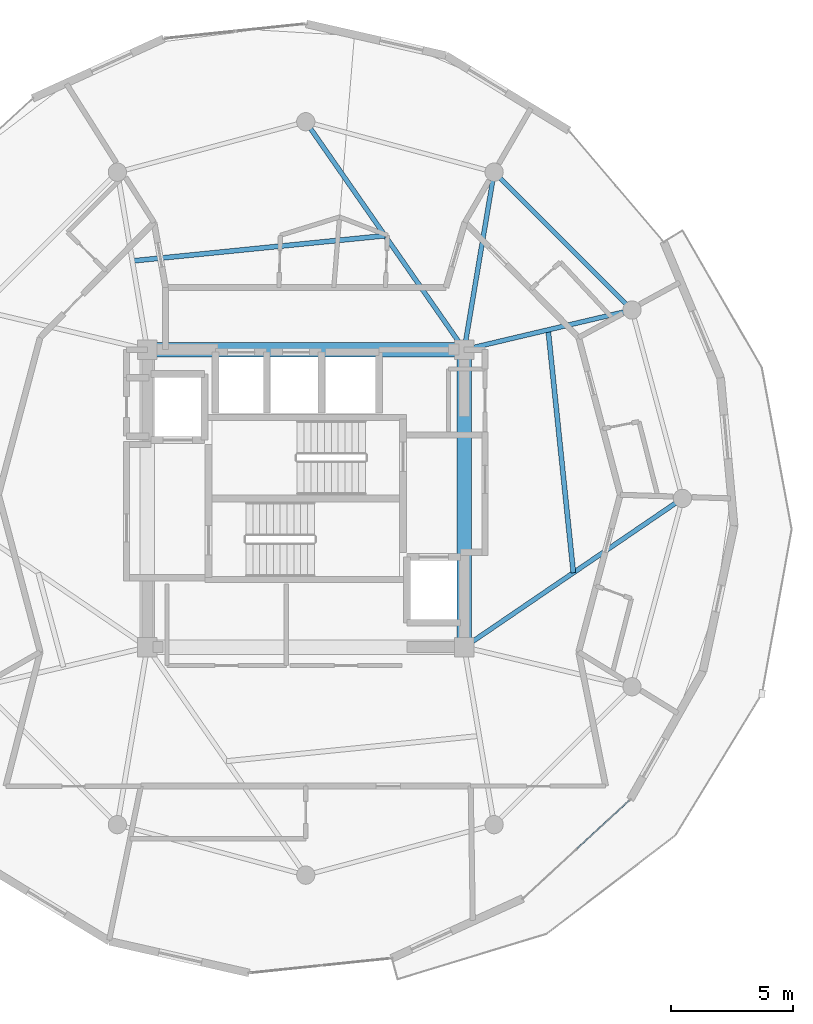
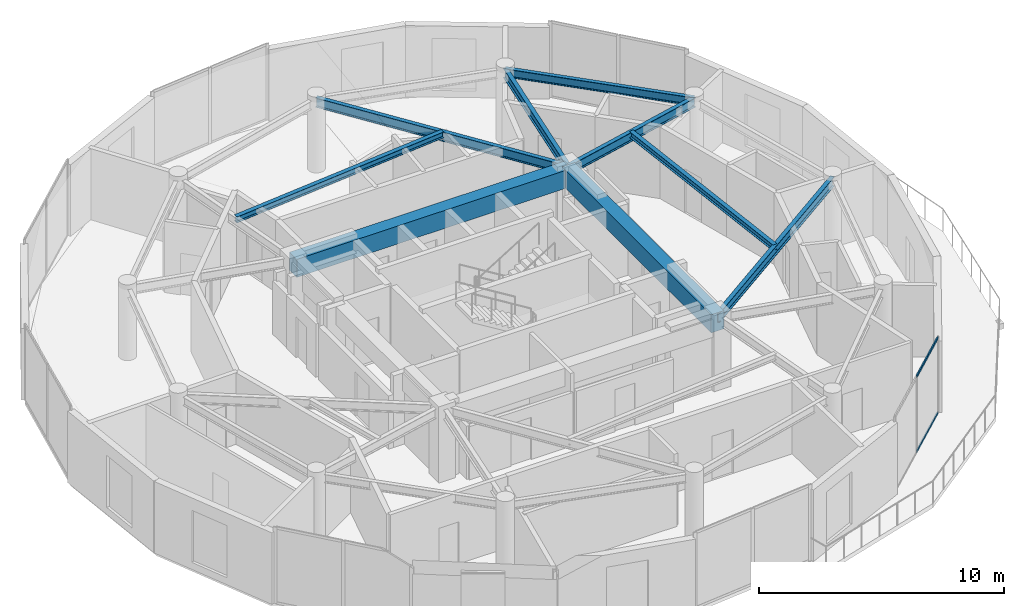
# One storey, part 10 of 22: 9 beams, 2 members, 1 element without a shape of its own.
"""IFC4 building model written with IfcOpenShell, lengths in metres."""

import ifcopenshell
import ifcopenshell.guid

model = None  # the IFC model being written
_history = None  # IfcOwnerHistory: only IFC2X3 demands one
_inside = {}  # id of a spatial element -> (the spatial element, [elements in it])
_under = {}  # id of a project, library or spatial element -> (it, [spatial elements below it])
_declared = {}  # id of a project -> (the project, [libraries it declares])
_typed = {}  # id of a type object -> (the type object, [elements of that type])
_made_of = {}  # id of a material, layer set ... -> (it, [elements and type objects made of it])


def new_model(schema):
    """Start an empty IFC model of exactly this schema.

    Asked for "IFC4X3", IfcOpenShell would pick the latest addendum, in which some entities
    have other attributes; the version numbers below select the first issue.
    IFC2X3 requires an IfcOwnerHistory on every rooted entity: one is made here for all.
    """
    global model, _history
    if schema == "IFC4X3":
        model = ifcopenshell.file(schema_version=(4, 3, 0, 0))
    else:
        model = ifcopenshell.file(schema=schema)
    _inside.clear()
    _under.clear()
    _declared.clear()
    _typed.clear()
    _made_of.clear()
    _history = None
    if model.schema == "IFC2X3":
        org = make("IfcOrganization", Name="unknown")
        user = make(
            "IfcPersonAndOrganization",
            ThePerson=make("IfcPerson", FamilyName="unknown"),
            TheOrganization=org,
        )
        app = make(
            "IfcApplication",
            ApplicationDeveloper=org,
            Version="unknown",
            ApplicationFullName="unknown",
            ApplicationIdentifier="unknown",
        )
        _history = make(
            "IfcOwnerHistory",
            OwningUser=user,
            OwningApplication=app,
            ChangeAction="ADDED",
            CreationDate=0,
        )
    return model


def make(cls, **values):
    """One entity of the class cls with the attributes given. An attribute that is None is left unset."""
    return model.create_entity(
        cls, **{name: value for name, value in values.items() if value is not None}
    )


def rooted(cls, **values):
    """An entity with a GlobalId (a new one), such as an element, a storey or a relation."""
    return make(cls, GlobalId=ifcopenshell.guid.new(), OwnerHistory=_history, **values)


def si_unit(unit_type, name, prefix=None):
    """IfcSIUnit, for example si_unit("LENGTHUNIT", "METRE", prefix="MILLI")."""
    return make("IfcSIUnit", UnitType=unit_type, Prefix=prefix, Name=name)


def assignment(units):
    """IfcUnitAssignment: the units of a project."""
    return None if units is None else make("IfcUnitAssignment", Units=units)


def point(xyz):
    """IfcCartesianPoint."""
    return None if xyz is None else make("IfcCartesianPoint", Coordinates=xyz)


def direction(xyz):
    """IfcDirection."""
    return None if xyz is None else make("IfcDirection", DirectionRatios=xyz)


def frame(location, z_axis=None, x_axis=None):
    """IfcAxis2Placement3D, a coordinate frame: its origin and axes. An axis left out is left unset."""
    return make(
        "IfcAxis2Placement3D",
        Location=point(location),
        Axis=direction(z_axis),
        RefDirection=direction(x_axis),
    )


def frame_2d(location, x_axis=None):
    """IfcAxis2Placement2D, a coordinate frame in the plane: its origin and x axis."""
    return make(
        "IfcAxis2Placement2D", Location=point(location), RefDirection=direction(x_axis)
    )


def origin():
    """The frame at (0, 0, 0) with its axes left unset."""
    return frame((0.0, 0.0, 0.0))


def origin_2d():
    """The frame at (0, 0) in the plane with its x axis left unset."""
    return frame_2d((0.0, 0.0))


def place(relative_to, where):
    """IfcLocalPlacement: puts the frame where relative to a parent placement (None: the world)."""
    return make(
        "IfcLocalPlacement", PlacementRelTo=relative_to, RelativePlacement=where
    )


def context(
    kind, dimensions, precision=None, world=None, true_north=None, identifier=None
):
    """IfcGeometricRepresentationContext, for example the 3D "Model" context."""
    return make(
        "IfcGeometricRepresentationContext",
        ContextIdentifier=identifier,
        ContextType=kind,
        CoordinateSpaceDimension=dimensions,
        Precision=precision,
        WorldCoordinateSystem=world,
        TrueNorth=true_north,
    )


def subcontext(parent, identifier, kind, view, scale=None):
    """IfcGeometricRepresentationSubContext, for example "Body" below "Model"."""
    return make(
        "IfcGeometricRepresentationSubContext",
        ContextIdentifier=identifier,
        ContextType=kind,
        ParentContext=parent,
        TargetScale=scale,
        TargetView=view,
    )


def project(units=None, contexts=None):
    """IfcProject with its units and contexts."""
    return rooted(
        "IfcProject",
        Name="project",
        RepresentationContexts=contexts,
        UnitsInContext=assignment(units),
    )


def spatial(cls, under=None, at=None, **own):
    """A site, building, storey or space (cls), placed at a placement, below another one or the project."""
    s = rooted(cls, ObjectPlacement=at, **own)
    if under is not None:
        _under.setdefault(under.id(), (under, []))[1].append(s)
    return s


def profile(cls, at=None, kind="AREA", **sizes):
    """A parametric profile (cls). Its sizes go by their IFC names, for example OverallWidth=200.0."""
    return make(cls, ProfileType=kind, Position=at, **sizes)


def rectangle(**sizes):
    """IfcRectangleProfileDef."""
    return profile("IfcRectangleProfileDef", **sizes)


def hollow_rectangle(**sizes):
    """IfcRectangleHollowProfileDef."""
    return profile("IfcRectangleHollowProfileDef", **sizes)


def i_section(**sizes):
    """IfcIShapeProfileDef."""
    return profile("IfcIShapeProfileDef", **sizes)


def extrude(swept, where, along, depth):
    """IfcExtrudedAreaSolid: the profile swept, set in the frame where, extruded along a direction by depth."""
    return make(
        "IfcExtrudedAreaSolid",
        SweptArea=swept,
        Position=where,
        ExtrudedDirection=direction(along),
        Depth=depth,
    )


def shape(context_of_items, identifier, shape_type, items):
    """IfcShapeRepresentation: the items that make up one representation, for example the "Body"."""
    return make(
        "IfcShapeRepresentation",
        ContextOfItems=context_of_items,
        RepresentationIdentifier=identifier,
        RepresentationType=shape_type,
        Items=items,
    )


def source(mapping_origin, context_of_items, identifier, shape_type, items):
    """IfcRepresentationMap: a shape defined once, which mapped items show again and again."""
    return make(
        "IfcRepresentationMap",
        MappingOrigin=mapping_origin,
        MappedRepresentation=shape(context_of_items, identifier, shape_type, items),
    )


def transform(
    local_origin,
    x_axis=None,
    y_axis=None,
    z_axis=None,
    scale=None,
    scale2=None,
    scale3=None,
    uniform=True,
):
    """IfcCartesianTransformationOperator3D, or its non-uniform kind. x_axis, y_axis, z_axis: its Axis1, 2, 3."""
    if uniform:
        return make(
            "IfcCartesianTransformationOperator3D",
            Axis1=direction(x_axis),
            Axis2=direction(y_axis),
            LocalOrigin=point(local_origin),
            Scale=scale,
            Axis3=direction(z_axis),
        )
    return make(
        "IfcCartesianTransformationOperator3DnonUniform",
        Axis1=direction(x_axis),
        Axis2=direction(y_axis),
        LocalOrigin=point(local_origin),
        Scale=scale,
        Axis3=direction(z_axis),
        Scale2=scale2,
        Scale3=scale3,
    )


def mapped(mapping_source, mapping_target):
    """IfcMappedItem: shows the shape of a source again, moved by a transform."""
    return make(
        "IfcMappedItem", MappingSource=mapping_source, MappingTarget=mapping_target
    )


def material(Name=None, Category=None):
    """IfcMaterial."""
    return make("IfcMaterial", Name=Name, Category=Category)


def layer(
    of_material, thickness, ventilated=None, Name=None, Category=None, Priority=None
):
    """IfcMaterialLayer: one layer of a wall or slab, of a material (None: an air gap)."""
    return make(
        "IfcMaterialLayer",
        Material=of_material,
        LayerThickness=thickness,
        IsVentilated=ventilated,
        Name=Name,
        Category=Category,
        Priority=Priority,
    )


def layer_set(layers, Name=None):
    """IfcMaterialLayerSet."""
    return make("IfcMaterialLayerSet", MaterialLayers=layers, LayerSetName=Name)


def material_profile(
    of_material, cross_section, Name=None, Category=None, Priority=None
):
    """IfcMaterialProfile: a cross section and its material."""
    return make(
        "IfcMaterialProfile",
        Name=Name,
        Material=of_material,
        Profile=cross_section,
        Priority=Priority,
        Category=Category,
    )


def profile_set(profiles, Name=None, composite=None):
    """IfcMaterialProfileSet."""
    return make(
        "IfcMaterialProfileSet",
        Name=Name,
        MaterialProfiles=profiles,
        CompositeProfile=composite,
    )


def made_of(thing, what):
    """Note that an element or type object is made of a material, layer set ...; save() writes the relation."""
    if what is not None:
        _made_of.setdefault(what.id(), (what, []))[1].append(thing)
    return thing


def type_object(cls, material=None, **own):
    """A type object (cls), such as IfcWallType, which elements share."""
    return made_of(rooted(cls, **own), material)


def element(
    cls,
    number,
    at=None,
    inside=None,
    cuts=None,
    type_object=None,
    material=None,
    context=None,
    identifier="Body",
    shape_type=None,
    held_by="IfcProductDefinitionShape",
    body=None,
    shapes=None,
    **own,
):
    """One element of the class cls, such as IfcWall. Its Tag is "e" and its number.

    at: its placement. inside: the storey or other place that contains it. cuts: it is an
    opening in that element (IfcRelVoidsElement). A single representation is given by context,
    identifier, shape_type and body (its items); several are given by shapes. held_by: the class
    of the entity that holds the representations. save() writes the other relations.
    """
    e = rooted(cls, Tag="e%d" % number, ObjectPlacement=at, **own)
    if body is not None:
        shapes = [shape(context, identifier, shape_type, body)]
    if shapes is not None:
        e.Representation = make(held_by, Representations=shapes)
    if inside is not None:
        _inside.setdefault(inside.id(), (inside, []))[1].append(e)
    if cuts is not None:
        rooted(
            "IfcRelVoidsElement", RelatingBuildingElement=cuts, RelatedOpeningElement=e
        )
    if type_object is not None:
        _typed.setdefault(type_object.id(), (type_object, []))[1].append(e)
    return made_of(e, material)


def aggregate(whole, parts):
    """IfcRelAggregates: a whole, such as a stair, and the parts it consists of."""
    return rooted("IfcRelAggregates", RelatingObject=whole, RelatedObjects=parts)


def save(model, path):
    """Write the relations noted so far, then the file.

    IfcRelAggregates (storeys below a building ...), IfcRelContainedInSpatialStructure (elements
    in a storey), IfcRelDefinesByType, IfcRelAssociatesMaterial and IfcRelDeclares: one each for
    every whole, place, type object, material and project.
    """
    for whole, parts in _under.values():
        aggregate(whole, parts)
    for where, things in _inside.values():
        rooted(
            "IfcRelContainedInSpatialStructure",
            RelatedElements=things,
            RelatingStructure=where,
        )
    for kind, things in _typed.values():
        rooted("IfcRelDefinesByType", RelatedObjects=things, RelatingType=kind)
    for what, things in _made_of.values():
        rooted("IfcRelAssociatesMaterial", RelatedObjects=things, RelatingMaterial=what)
    for by, libraries in _declared.values():
        rooted("IfcRelDeclares", RelatingContext=by, RelatedDefinitions=libraries)
    model.write(path)


model = new_model("IFC4")

# Units and contexts
model_context = context("Model", 3, precision=1e-05, world=origin(), true_north=direction((0.0, 1.0)))
body_context = subcontext(model_context, "Body", "Model", "MODEL_VIEW")
ifc_project = project(units=[si_unit("LENGTHUNIT", "METRE"), si_unit("AREAUNIT", "SQUARE_METRE"), si_unit("VOLUMEUNIT", "CUBIC_METRE"), si_unit("PLANEANGLEUNIT", "RADIAN"), si_unit("MASSUNIT", "GRAM", prefix="KILO")], contexts=[model_context])

# Site, building, storey
site_placement = place(None, origin())
site = spatial("IfcSite", under=ifc_project, at=site_placement, CompositionType="ELEMENT")
building_placement = place(site_placement, origin())
building = spatial("IfcBuilding", under=site, at=building_placement, Name="Solvirekh Grand Hotel", CompositionType="ELEMENT")
storey_placement = place(building_placement, frame((0.0, 0.0, 289.60009765625)))
storey = spatial("IfcBuildingStorey", under=building, at=storey_placement, Name="L75", CompositionType="ELEMENT", Elevation=289.60009765625)

# Beams
ifc_material_1 = material(Name="Concrete C50/60", Category="concrete")
ifc_material_profile_1 = material_profile(ifc_material_1, rectangle(XDim=0.60009765625, YDim=0.89990234375, at=origin_2d()), Name="RC BEAM 600X900")
ifc_profile_set_1 = profile_set([ifc_material_profile_1], Name="Concrete C50/60")
beam_type_1 = type_object("IfcBeamType", Name="Beam_Core_RC900", PredefinedType="BEAM", material=ifc_profile_set_1)
beam_1_placement = place(storey_placement, frame((6.5, -6.10009765625, 3.119873046875), z_axis=(0.0, 1.0, 0.0), x_axis=(-1.0, 0.0, 0.0)))
element("IfcBeam", 1, at=beam_1_placement, inside=storey, type_object=beam_type_1, Name="L75 core coupling ring beam 2", PredefinedType="BEAM", context=body_context, shape_type="SweptSolid", body=[
    extrude(rectangle(XDim=0.60009765625, YDim=0.89990234375, at=origin_2d()), origin(), (0.0, 0.0, 1.0), 12.2001953125),
])
beam_2_placement = place(storey_placement, frame((6.5, 6.10009765625, 3.119873046875), z_axis=(-1.0, 0.0, 0.0), x_axis=(0.0, -1.0, 0.0)))
element("IfcBeam", 2, at=beam_2_placement, inside=storey, type_object=beam_type_1, Name="L75 core coupling ring beam 3", PredefinedType="BEAM", context=body_context, shape_type="SweptSolid", body=[
    extrude(rectangle(XDim=0.60009765625, YDim=0.89990234375, at=origin_2d()), origin(), (0.0, 0.0, 1.0), 13.0),
])
ifc_material_2 = material(Name="Steel S355", Category="steel")
ifc_material_profile_2 = material_profile(ifc_material_2, i_section(OverallWidth=0.194091796875, OverallDepth=0.468994140625, WebThickness=0.010986328125, FlangeThickness=0.01904296875, FilletRadius=0.012939453125, at=origin_2d()), Name="W460X106")
ifc_profile_set_2 = profile_set([ifc_material_profile_2], Name="Steel S355")
beam_type_2 = type_object("IfcBeamType", Name="Beam_Radial_W460H", PredefinedType="BEAM", material=ifc_profile_set_2)
beam_3_placement = place(storey_placement, frame((6.5, -6.10009765625, 3.3349609375), z_axis=(0.826319370306, 0.563201827285, 0.0), x_axis=(-0.563201827285, 0.826319370306, 0.0)))
element("IfcBeam", 3, at=beam_3_placement, inside=storey, type_object=beam_type_2, Name="L75 radial floor beam R01", PredefinedType="BEAM", context=body_context, shape_type="SweptSolid", body=[
    extrude(i_section(OverallWidth=0.194091796875, OverallDepth=0.468994140625, WebThickness=0.010986328125, FlangeThickness=0.01904296875, FilletRadius=0.012939453125, at=origin_2d()), origin(), (0.0, 0.0, 1.0), 10.8310546875),
])
beam_4_placement = place(storey_placement, frame((6.5, 6.10009765625, 3.3349609375), z_axis=(0.973221147544, 0.229870828888, 0.0), x_axis=(-0.229870828888, 0.973221147544, 0.0)))
element("IfcBeam", 4, at=beam_4_placement, inside=storey, type_object=beam_type_2, Name="L75 radial floor beam R02", PredefinedType="BEAM", context=body_context, shape_type="SweptSolid", body=[
    extrude(i_section(OverallWidth=0.194091796875, OverallDepth=0.468994140625, WebThickness=0.010986328125, FlangeThickness=0.01904296875, FilletRadius=0.012939453125, at=origin_2d()), origin(), (0.0, 0.0, 1.0), 7.069091796875),
])
beam_5_placement = place(storey_placement, frame((6.5, 6.10009765625, 3.3349609375), z_axis=(0.165954049106, 0.986133486697, 0.0), x_axis=(-0.986133486697, 0.165954049106, 0.0)))
element("IfcBeam", 5, at=beam_5_placement, inside=storey, type_object=beam_type_2, Name="L75 radial floor beam R03", PredefinedType="BEAM", context=body_context, shape_type="SweptSolid", body=[
    extrude(i_section(OverallWidth=0.194091796875, OverallDepth=0.468994140625, WebThickness=0.010986328125, FlangeThickness=0.01904296875, FilletRadius=0.012939453125, at=origin_2d()), origin(), (0.0, 0.0, 1.0), 7.382080078125),
])
beam_6_placement = place(storey_placement, frame((6.5, 6.10009765625, 3.3349609375), z_axis=(-0.570813192472, 0.821079959139, 0.0), x_axis=(-0.821079959139, -0.570813192472, 0.0)))
element("IfcBeam", 6, at=beam_6_placement, inside=storey, type_object=beam_type_2, Name="L75 radial floor beam R04", PredefinedType="BEAM", context=body_context, shape_type="SweptSolid", body=[
    extrude(i_section(OverallWidth=0.194091796875, OverallDepth=0.468994140625, WebThickness=0.010986328125, FlangeThickness=0.01904296875, FilletRadius=0.012939453125, at=origin_2d()), origin(), (0.0, 0.0, 1.0), 11.38720703125),
])
ifc_material_profile_3 = material_profile(ifc_material_2, i_section(OverallWidth=0.202880859375, OverallDepth=0.302978515625, WebThickness=0.008056640625, FlangeThickness=0.012939453125, FilletRadius=0.010009765625, at=origin_2d()), Name="W310X60")
ifc_profile_set_3 = profile_set([ifc_material_profile_3], Name="Steel S355")
beam_type_3 = type_object("IfcBeamType", Name="Joist_Floor_W310", PredefinedType="JOIST", material=ifc_profile_set_3)
beam_7_placement = place(storey_placement, frame((10.97509765625, -3.050048828125, 3.4189453125), z_axis=(-0.103352382469, 0.994644803454, 0.0), x_axis=(-0.994644803454, -0.103352382469, 0.0)))
element("IfcBeam", 7, at=beam_7_placement, inside=storey, type_object=beam_type_3, Name="L75 secondary composite floor joist 1", PredefinedType="JOIST", context=body_context, shape_type="SweptSolid", body=[
    extrude(i_section(OverallWidth=0.202880859375, OverallDepth=0.302978515625, WebThickness=0.008056640625, FlangeThickness=0.012939453125, FilletRadius=0.010009765625, at=origin_2d()), origin(), (0.0, 0.0, 1.0), 10.015869140625),
])
beam_8_placement = place(storey_placement, frame((3.25, 10.77490234375, 3.4189453125), z_axis=(-0.995049485097, -0.099380693338, 0.0), x_axis=(0.099380693338, -0.995049485097, 0.0)))
element("IfcBeam", 8, at=beam_8_placement, inside=storey, type_object=beam_type_3, Name="L75 secondary composite floor joist 4", PredefinedType="JOIST", context=body_context, shape_type="SweptSolid", body=[
    extrude(i_section(OverallWidth=0.202880859375, OverallDepth=0.302978515625, WebThickness=0.008056640625, FlangeThickness=0.012939453125, FilletRadius=0.010009765625, at=origin_2d()), origin(), (0.0, 0.0, 1.0), 10.41357421875),
])
ifc_material_profile_4 = material_profile(ifc_material_2, i_section(OverallWidth=0.180908203125, OverallDepth=0.4169921875, WebThickness=0.010009765625, FlangeThickness=0.01611328125, FilletRadius=0.011962890625, at=origin_2d()), Name="W410X85")
ifc_profile_set_4 = profile_set([ifc_material_profile_4], Name="Steel S355")
beam_type_4 = type_object("IfcBeamType", Name="Spandrel_Ring_W410", PredefinedType="SPANDREL", material=ifc_profile_set_4)
beam_9_placement = place(storey_placement, frame((13.3798828125, 7.72509765625, 3.36181640625), z_axis=(-0.707106781187, 0.707106781187, 0.0), x_axis=(-0.707106781187, -0.707106781187, 0.0)))
element("IfcBeam", 9, at=beam_9_placement, inside=storey, type_object=beam_type_4, Name="L75 perimeter spandrel beam 2", PredefinedType="SPANDREL", context=body_context, shape_type="SweptSolid", body=[
    extrude(i_section(OverallWidth=0.180908203125, OverallDepth=0.4169921875, WebThickness=0.010009765625, FlangeThickness=0.01611328125, FilletRadius=0.011962890625, at=origin_2d()), origin(), (0.0, 0.0, 1.0), 7.9970703125),
])

# Curtain wall, members
ifc_material_3 = material(Name="Anodized Bronze Aluminium 6063-T6", Category="aluminium")
ifc_layer = layer(ifc_material_3, 0.159912109375)
ifc_layer_set = layer_set([ifc_layer], Name="Anodized Bronze Aluminium 6063-T6")
curtain_wall_type = type_object("IfcCurtainWallType", Name="CW_Sys4_HighZoneFlushBronzeCW", PredefinedType="NOTDEFINED", material=ifc_layer_set)
curtain_wall_placement = place(storey_placement, origin())
curtain_wall = element("IfcCurtainWall", 10, at=curtain_wall_placement, inside=storey, type_object=curtain_wall_type, Name="L75 unitised bronze-glass curtain wall CW-L75-C03", PredefinedType="NOTDEFINED")
ifc_material_profile_5 = material_profile(ifc_material_3, hollow_rectangle(XDim=0.054931640625, YDim=0.1201171875, WallThickness=0.00390625, at=origin_2d()), Name="ALU RHS 120X55X4")
ifc_profile_set_5 = profile_set([ifc_material_profile_5], Name="Anodized Bronze Aluminium 6063-T6")
member_type = type_object("IfcMemberType", Name="CWTransom_Sys4", PredefinedType="USERDEFINED", material=ifc_profile_set_5)
shared_shape = source(origin(), body_context, "Body", "SweptSolid", [
    extrude(hollow_rectangle(XDim=0.054931640625, YDim=0.1201171875, WallThickness=0.00390625, at=origin_2d()), origin(), (0.0, 0.0, 1.0), 2.902587890625),
])
member_1_placement = place(storey_placement, frame((11.12646484375, -14.359619140625, 0.02734375), z_axis=(0.735045250375, 0.678018052784, 0.0), x_axis=(-0.678018052784, 0.735045250375, 0.0)))
member_1 = element("IfcMember", 11, at=member_1_placement, type_object=member_type, Name="U04 transom 2.1", ObjectType="TRANSOM", PredefinedType="USERDEFINED", context=body_context, shape_type="MappedRepresentation", body=[
    mapped(shared_shape, transform((0.0, 0.0, 0.0), x_axis=(1.0, 0.0, 0.0), y_axis=(0.0, 1.0, 0.0), z_axis=(0.0, 0.0, 1.0), scale=1.0)),
])
member_2_placement = place(storey_placement, frame((11.12646484375, -14.359619140625, 3.7724609375), z_axis=(0.735045250375, 0.678018052784, 0.0), x_axis=(-0.678018052784, 0.735045250375, 0.0)))
member_2 = element("IfcMember", 12, at=member_2_placement, type_object=member_type, Name="U04 transom 2.2", ObjectType="TRANSOM", PredefinedType="USERDEFINED", context=body_context, shape_type="MappedRepresentation", body=[
    mapped(shared_shape, transform((0.0, 0.0, 0.0), x_axis=(1.0, 0.0, 0.0), y_axis=(0.0, 1.0, 0.0), z_axis=(0.0, 0.0, 1.0), scale=1.0)),
])
aggregate(curtain_wall, [member_1, member_2])

save(model, "model.ifc")
